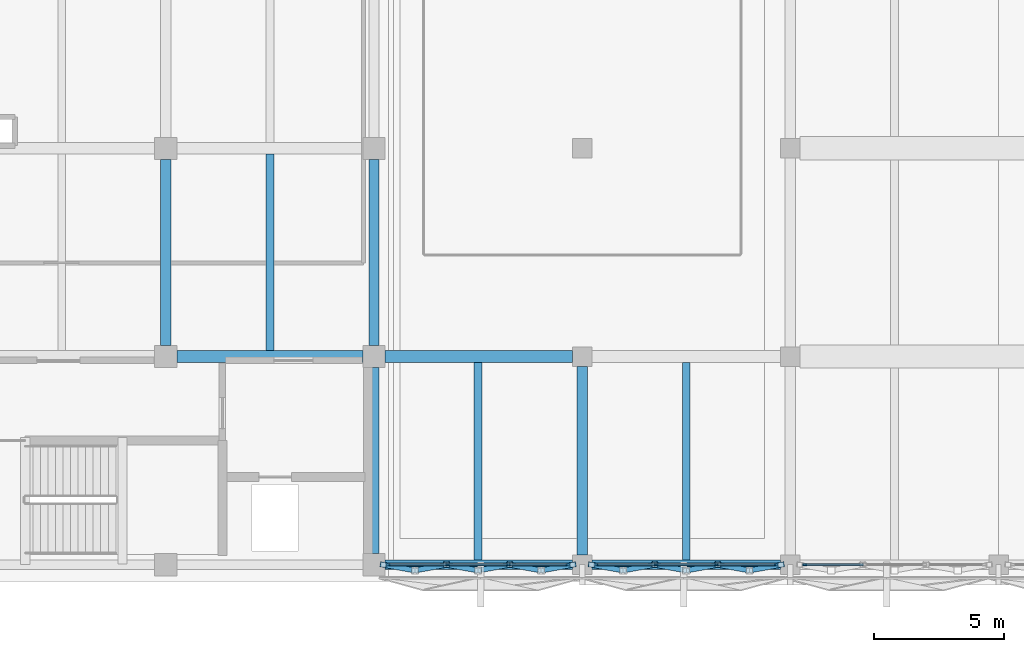
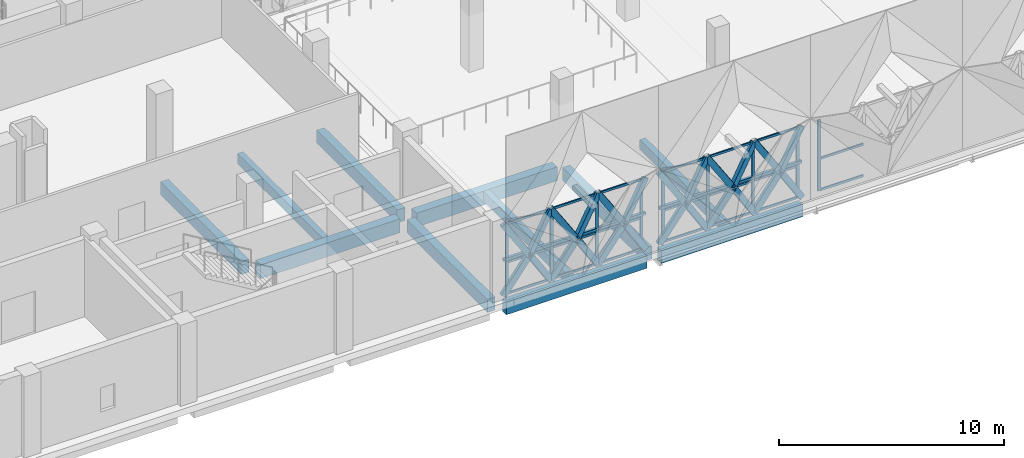
# One storey, part 5 of 53: 59 members, 11 beams, 3 elements without a shape of their own.
"""IFC4 building model written with IfcOpenShell, lengths in metres."""

from ifc_helpers import new_model, si_unit, direction, frame, origin, origin_2d, place, context, subcontext, project, spatial, rectangle, hollow_rectangle, extrude, material, layer, layer_set, material_profile, profile_set, type_object, element, aggregate, save


model = new_model("IFC4")

# Units and contexts
model_context = context("Model", 3, precision=1e-05, world=origin(), true_north=direction((0.0, 1.0)))
body_context = subcontext(model_context, "Body", "Model", "MODEL_VIEW")
ifc_project = project(units=[si_unit("LENGTHUNIT", "METRE"), si_unit("AREAUNIT", "SQUARE_METRE"), si_unit("VOLUMEUNIT", "CUBIC_METRE"), si_unit("PLANEANGLEUNIT", "RADIAN"), si_unit("MASSUNIT", "GRAM", prefix="KILO")], contexts=[model_context])

# Site, building, storey
site_placement = place(None, origin())
site = spatial("IfcSite", under=ifc_project, at=site_placement, CompositionType="ELEMENT")
building_placement = place(site_placement, origin())
building = spatial("IfcBuilding", under=site, at=building_placement, Name="Qorikala Patio Media Centre", CompositionType="ELEMENT")
storey_placement = place(building_placement, frame((0.0, 0.0, 5.39990234375)))
storey = spatial("IfcBuildingStorey", under=building, at=storey_placement, Name="L01", CompositionType="ELEMENT", Elevation=5.39990234375)

# Beams
ifc_material_1 = material(Name="Concrete C35/45", Category="concrete")
ifc_material_profile_1 = material_profile(ifc_material_1, rectangle(XDim=0.39990234375, YDim=0.699951171875, at=origin_2d()), Name="RC 400x700")
ifc_profile_set_1 = profile_set([ifc_material_profile_1], Name="Concrete C35/45")
beam_type_1 = type_object("IfcBeamType", Name="BM-G400X700", PredefinedType="BEAM", material=ifc_profile_set_1)
for number, where, z_axis, x_axis, name in (
    (1, (35.0, 11.425048828125, -0.64990234375), (0.0, 1.0, 0.0), (-1.0, 0.0, 0.0), "L01 Grid X=35 Beam 0583"),
    (2, (43.0, 3.425048828125, -0.64990234375), (0.0, 1.0, 0.0), (-1.0, 0.0, 0.0), "L01 Grid X=43 Beam 0590"),
    (3, (43.0, 11.425048828125, -0.64990234375), (0.0, 1.0, 0.0), (-1.0, 0.0, 0.0), "L01 Grid X=43 Beam 0591"),
):
    element("IfcBeam", number, at=place(storey_placement, frame(where, z_axis=z_axis, x_axis=x_axis)), inside=storey, type_object=beam_type_1, Name=name, PredefinedType="BEAM", context=body_context, shape_type="SweptSolid", body=[
        extrude(rectangle(XDim=0.39990234375, YDim=0.699951171875, at=origin_2d()), origin(), (0.0, 0.0, 1.0), 7.14990234375),
    ])
beam_1_placement = place(storey_placement, frame((51.0, 3.375, -0.64990234375), z_axis=(0.0, 1.0, 0.0), x_axis=(-1.0, 0.0, 0.0)))
element("IfcBeam", 4, at=beam_1_placement, inside=storey, type_object=beam_type_1, Name="L01 Grid X=51 Beam 0594", PredefinedType="BEAM", context=body_context, shape_type="SweptSolid", body=[
    extrude(rectangle(XDim=0.39990234375, YDim=0.699951171875, at=origin_2d()), origin(), (0.0, 0.0, 1.0), 7.25),
])
ifc_material_profile_2 = material_profile(ifc_material_1, rectangle(XDim=0.449951171875, YDim=0.75, at=origin_2d()), Name="RC 450x750")
ifc_profile_set_2 = profile_set([ifc_material_profile_2], Name="Concrete C35/45")
beam_type_2 = type_object("IfcBeamType", Name="BM-G450X750", PredefinedType="BEAM", material=ifc_profile_set_2)
beam_2_placement = place(storey_placement, frame((35.425048828125, 11.0, -0.6748046875), z_axis=(1.0, 0.0, 0.0), x_axis=(0.0, 1.0, 0.0)))
element("IfcBeam", 5, at=beam_2_placement, inside=storey, type_object=beam_type_2, Name="L01 Grid 11 Beam 0424", PredefinedType="BEAM", context=body_context, shape_type="SweptSolid", body=[
    extrude(rectangle(XDim=0.449951171875, YDim=0.75, at=origin_2d()), origin(), (0.0, 0.0, 1.0), 7.14990234375),
])
beam_3_placement = place(storey_placement, frame((43.425048828125, 11.0, -0.6748046875), z_axis=(1.0, 0.0, 0.0), x_axis=(0.0, 1.0, 0.0)))
element("IfcBeam", 6, at=beam_3_placement, inside=storey, type_object=beam_type_2, Name="L01 Grid 11 Beam 0425", PredefinedType="BEAM", context=body_context, shape_type="SweptSolid", body=[
    extrude(rectangle(XDim=0.449951171875, YDim=0.75, at=origin_2d()), origin(), (0.0, 0.0, 1.0), 7.199951171875),
])

# Members
ifc_material_2 = material(Name="Golden Bronze Coated Steel S355", Category="steel")
ifc_material_profile_3 = material_profile(ifc_material_2, hollow_rectangle(XDim=0.139892578125, YDim=0.139892578125, WallThickness=0.006103515625, at=origin_2d()), Name="HSS140X140X6")
ifc_profile_set_3 = profile_set([ifc_material_profile_3], Name="Golden Bronze Coated Steel S355")
member_type_1 = type_object("IfcMemberType", Name="BRACE-DIA140", PredefinedType="BRACE", material=ifc_profile_set_3)
member_1_placement = place(storey_placement, frame((58.639892578125, 3.0, 1.925048828125), z_axis=(-1.0, 0.0, 0.0), x_axis=(0.0, -1.0, 0.0)))
element("IfcMember", 7, at=member_1_placement, inside=storey, type_object=member_type_1, Name="L01 Diamond Fold Tie 028", PredefinedType="BRACE", context=body_context, shape_type="SweptSolid", body=[
    extrude(hollow_rectangle(XDim=0.139892578125, YDim=0.139892578125, WallThickness=0.006103515625, at=origin_2d()), origin(), (0.0, 0.0, 1.0), 2.426513671875),
])
member_2_placement = place(storey_placement, frame((56.21337890625, 3.0, 1.925048828125), z_axis=(-1.0, 0.0, 0.0), x_axis=(0.0, -1.0, 0.0)))
element("IfcMember", 8, at=member_2_placement, inside=storey, type_object=member_type_1, Name="L01 Diamond Fold Tie 029", PredefinedType="BRACE", context=body_context, shape_type="SweptSolid", body=[
    extrude(hollow_rectangle(XDim=0.139892578125, YDim=0.139892578125, WallThickness=0.006103515625, at=origin_2d()), origin(), (0.0, 0.0, 1.0), 2.4267578125),
])
for number, where, z_axis, x_axis, name in (
    (9, (53.78662109375, 3.0, 1.925048828125), (-1.0, 0.0, 0.0), (0.0, -1.0, 0.0), "L01 Diamond Fold Tie 030"),
    (10, (50.639892578125, 3.0, 1.925048828125), (-1.0, 0.0, 0.0), (0.0, -1.0, 0.0), "L01 Diamond Fold Tie 031"),
):
    element("IfcMember", number, at=place(storey_placement, frame(where, z_axis=z_axis, x_axis=x_axis)), inside=storey, type_object=member_type_1, Name=name, PredefinedType="BRACE", context=body_context, shape_type="SweptSolid", body=[
        extrude(hollow_rectangle(XDim=0.139892578125, YDim=0.139892578125, WallThickness=0.006103515625, at=origin_2d()), origin(), (0.0, 0.0, 1.0), 2.426513671875),
    ])
member_3_placement = place(storey_placement, frame((48.21337890625, 3.0, 1.925048828125), z_axis=(-1.0, 0.0, 0.0), x_axis=(0.0, -1.0, 0.0)))
element("IfcMember", 11, at=member_3_placement, inside=storey, type_object=member_type_1, Name="L01 Diamond Fold Tie 032", PredefinedType="BRACE", context=body_context, shape_type="SweptSolid", body=[
    extrude(hollow_rectangle(XDim=0.139892578125, YDim=0.139892578125, WallThickness=0.006103515625, at=origin_2d()), origin(), (0.0, 0.0, 1.0), 2.4267578125),
])
member_4_placement = place(storey_placement, frame((45.78662109375, 3.0, 1.925048828125), z_axis=(-1.0, 0.0, 0.0), x_axis=(0.0, -1.0, 0.0)))
element("IfcMember", 12, at=member_4_placement, inside=storey, type_object=member_type_1, Name="L01 Diamond Fold Tie 033", PredefinedType="BRACE", context=body_context, shape_type="SweptSolid", body=[
    extrude(hollow_rectangle(XDim=0.139892578125, YDim=0.139892578125, WallThickness=0.006103515625, at=origin_2d()), origin(), (0.0, 0.0, 1.0), 2.426513671875),
])

# Curtain wall, member
ifc_material_3 = material(Name="Golden Bronze Anodised Aluminium and Low-E Glass", Category="aluminium")
ifc_layer = layer(ifc_material_3, 0.159912109375)
ifc_layer_set = layer_set([ifc_layer], Name="Golden Bronze Anodised Aluminium and Low-E Glass")
curtain_wall_type = type_object("IfcCurtainWallType", Name="CW-DIA-696X385", PredefinedType="USERDEFINED", material=ifc_layer_set)
curtain_wall_1_placement = place(storey_placement, origin())
curtain_wall_1 = element("IfcCurtainWall", 13, at=curtain_wall_1_placement, inside=storey, type_object=curtain_wall_type, Name="L01 Courtyard Curtain Wall 037", ObjectType="COURTYARD CURTAIN WALL", PredefinedType="USERDEFINED")
ifc_material_4 = material(Name="Golden Bronze Anodised Aluminium", Category="aluminium")
ifc_material_profile_4 = material_profile(ifc_material_4, rectangle(XDim=0.06494140625, YDim=0.14990234375, at=origin_2d()), Name="ALU MULLION 65x150")
ifc_profile_set_4 = profile_set([ifc_material_profile_4], Name="Golden Bronze Anodised Aluminium")
member_type_2 = type_object("IfcMemberType", Name="CWM-65X150", PredefinedType="MULLION", material=ifc_profile_set_4)
member_5_placement = place(storey_placement, frame((59.552490234375, 3.0, 0.0), z_axis=(0.0, 0.0, 1.0), x_axis=(0.0, -1.0, 0.0)))
member_5 = element("IfcMember", 14, at=member_5_placement, type_object=member_type_2, Name="CWD696385 mullion 4", PredefinedType="MULLION", context=body_context, shape_type="SweptSolid", body=[
    extrude(rectangle(XDim=0.06494140625, YDim=0.14990234375, at=origin_2d()), origin(), (0.0, 0.0, 1.0), 3.85009765625),
])

# Curtain wall, members
curtain_wall_2_placement = place(storey_placement, origin())
curtain_wall_2 = element("IfcCurtainWall", 15, at=curtain_wall_2_placement, inside=storey, type_object=curtain_wall_type, Name="L01 Courtyard Curtain Wall 038", ObjectType="COURTYARD CURTAIN WALL", PredefinedType="USERDEFINED")
member_6_placement = place(storey_placement, frame((58.447509765625, 3.0, 0.0), z_axis=(0.0, 0.0, 1.0), x_axis=(0.0, -1.0, 0.0)))
member_6 = element("IfcMember", 16, at=member_6_placement, type_object=member_type_2, Name="CWD696385 mullion 1", PredefinedType="MULLION", context=body_context, shape_type="SweptSolid", body=[
    extrude(rectangle(XDim=0.06494140625, YDim=0.14990234375, at=origin_2d()), origin(), (0.0, 0.0, 1.0), 3.85009765625),
])
member_7_placement = place(storey_placement, frame((56.159912109375, 3.0, 0.0), z_axis=(0.0, 0.0, 1.0), x_axis=(0.0, -1.0, 0.0)))
member_7 = element("IfcMember", 17, at=member_7_placement, type_object=member_type_2, Name="CWD696385 mullion 2", PredefinedType="MULLION", context=body_context, shape_type="SweptSolid", body=[
    extrude(rectangle(XDim=0.06494140625, YDim=0.14990234375, at=origin_2d()), origin(), (0.0, 0.0, 1.0), 3.85009765625),
])
member_8_placement = place(storey_placement, frame((53.840087890625, 3.0, 0.0), z_axis=(0.0, 0.0, 1.0), x_axis=(0.0, -1.0, 0.0)))
member_8 = element("IfcMember", 18, at=member_8_placement, type_object=member_type_2, Name="CWD696385 mullion 3", PredefinedType="MULLION", context=body_context, shape_type="SweptSolid", body=[
    extrude(rectangle(XDim=0.06494140625, YDim=0.14990234375, at=origin_2d()), origin(), (0.0, 0.0, 1.0), 3.85009765625),
])
member_9_placement = place(storey_placement, frame((51.552490234375, 3.0, 0.0), z_axis=(0.0, 0.0, 1.0), x_axis=(0.0, -1.0, 0.0)))
member_9 = element("IfcMember", 19, at=member_9_placement, type_object=member_type_2, Name="CWD696385 mullion 4", PredefinedType="MULLION", context=body_context, shape_type="SweptSolid", body=[
    extrude(rectangle(XDim=0.06494140625, YDim=0.14990234375, at=origin_2d()), origin(), (0.0, 0.0, 1.0), 3.85009765625),
])

curtain_wall_3_placement = place(storey_placement, origin())
curtain_wall_3 = element("IfcCurtainWall", 20, at=curtain_wall_3_placement, inside=storey, type_object=curtain_wall_type, Name="L01 Courtyard Curtain Wall 039", ObjectType="COURTYARD CURTAIN WALL", PredefinedType="USERDEFINED")
member_10_placement = place(storey_placement, frame((50.447509765625, 3.0, 0.0), z_axis=(0.0, 0.0, 1.0), x_axis=(0.0, -1.0, 0.0)))
member_10 = element("IfcMember", 21, at=member_10_placement, type_object=member_type_2, Name="CWD696385 mullion 1", PredefinedType="MULLION", context=body_context, shape_type="SweptSolid", body=[
    extrude(rectangle(XDim=0.06494140625, YDim=0.14990234375, at=origin_2d()), origin(), (0.0, 0.0, 1.0), 3.85009765625),
])
member_11_placement = place(storey_placement, frame((48.159912109375, 3.0, 0.0), z_axis=(0.0, 0.0, 1.0), x_axis=(0.0, -1.0, 0.0)))
member_11 = element("IfcMember", 22, at=member_11_placement, type_object=member_type_2, Name="CWD696385 mullion 2", PredefinedType="MULLION", context=body_context, shape_type="SweptSolid", body=[
    extrude(rectangle(XDim=0.06494140625, YDim=0.14990234375, at=origin_2d()), origin(), (0.0, 0.0, 1.0), 3.85009765625),
])
member_12_placement = place(storey_placement, frame((45.840087890625, 3.0, 0.0), z_axis=(0.0, 0.0, 1.0), x_axis=(0.0, -1.0, 0.0)))
member_12 = element("IfcMember", 23, at=member_12_placement, type_object=member_type_2, Name="CWD696385 mullion 3", PredefinedType="MULLION", context=body_context, shape_type="SweptSolid", body=[
    extrude(rectangle(XDim=0.06494140625, YDim=0.14990234375, at=origin_2d()), origin(), (0.0, 0.0, 1.0), 3.85009765625),
])
member_13_placement = place(storey_placement, frame((43.552490234375, 3.0, 0.0), z_axis=(0.0, 0.0, 1.0), x_axis=(0.0, -1.0, 0.0)))
member_13 = element("IfcMember", 24, at=member_13_placement, type_object=member_type_2, Name="CWD696385 mullion 4", PredefinedType="MULLION", context=body_context, shape_type="SweptSolid", body=[
    extrude(rectangle(XDim=0.06494140625, YDim=0.14990234375, at=origin_2d()), origin(), (0.0, 0.0, 1.0), 3.85009765625),
])

# Member
ifc_material_profile_5 = material_profile(ifc_material_4, rectangle(XDim=0.06494140625, YDim=0.1201171875, at=origin_2d()), Name="ALU TRANSOM 65x120")
ifc_profile_set_5 = profile_set([ifc_material_profile_5], Name="Golden Bronze Anodised Aluminium")
member_type_3 = type_object("IfcMemberType", Name="CWT-65X120", PredefinedType="USERDEFINED", material=ifc_profile_set_5)
member_14_placement = place(storey_placement, frame((61.8076171875, 3.0, 0.03271484375), z_axis=(-1.0, 0.0, 0.0), x_axis=(0.0, -1.0, 0.0)))
member_14 = element("IfcMember", 25, at=member_14_placement, type_object=member_type_3, Name="CWD696385 transom 3.1", ObjectType="TRANSOM", PredefinedType="USERDEFINED", context=body_context, shape_type="SweptSolid", body=[
    extrude(rectangle(XDim=0.06494140625, YDim=0.1201171875, at=origin_2d()), origin(), (0.0, 0.0, 1.0), 2.22265625),
])

member_15_placement = place(storey_placement, frame((61.8076171875, 3.0, 1.732666015625), z_axis=(-1.0, 0.0, 0.0), x_axis=(0.0, -1.0, 0.0)))
member_15 = element("IfcMember", 26, at=member_15_placement, type_object=member_type_3, Name="CWD696385 transom 3.2", ObjectType="TRANSOM", PredefinedType="USERDEFINED", context=body_context, shape_type="SweptSolid", body=[
    extrude(rectangle(XDim=0.06494140625, YDim=0.1201171875, at=origin_2d()), origin(), (0.0, 0.0, 1.0), 2.22265625),
])

aggregate(curtain_wall_1, [member_5, member_14, member_15])

member_16_placement = place(storey_placement, frame((58.4150390625, 3.0, 0.03271484375), z_axis=(-1.0, 0.0, 0.0), x_axis=(0.0, -1.0, 0.0)))
member_16 = element("IfcMember", 27, at=member_16_placement, type_object=member_type_3, Name="CWD696385 transom 1.1", ObjectType="TRANSOM", PredefinedType="USERDEFINED", context=body_context, shape_type="SweptSolid", body=[
    extrude(rectangle(XDim=0.06494140625, YDim=0.1201171875, at=origin_2d()), origin(), (0.0, 0.0, 1.0), 2.22265625),
])

member_17_placement = place(storey_placement, frame((58.4150390625, 3.0, 1.732666015625), z_axis=(-1.0, 0.0, 0.0), x_axis=(0.0, -1.0, 0.0)))
member_17 = element("IfcMember", 28, at=member_17_placement, type_object=member_type_3, Name="CWD696385 transom 1.2", ObjectType="TRANSOM", PredefinedType="USERDEFINED", context=body_context, shape_type="SweptSolid", body=[
    extrude(rectangle(XDim=0.06494140625, YDim=0.1201171875, at=origin_2d()), origin(), (0.0, 0.0, 1.0), 2.22265625),
])

member_18_placement = place(storey_placement, frame((58.4150390625, 3.0, 3.817626953125), z_axis=(-1.0, 0.0, 0.0), x_axis=(0.0, -1.0, 0.0)))
member_18 = element("IfcMember", 29, at=member_18_placement, type_object=member_type_3, Name="CWD696385 transom 1.3", ObjectType="TRANSOM", PredefinedType="USERDEFINED", context=body_context, shape_type="SweptSolid", body=[
    extrude(rectangle(XDim=0.06494140625, YDim=0.1201171875, at=origin_2d()), origin(), (0.0, 0.0, 1.0), 2.22265625),
])

member_19_placement = place(storey_placement, frame((56.12744140625, 3.0, 0.03271484375), z_axis=(-1.0, 0.0, 0.0), x_axis=(0.0, -1.0, 0.0)))
member_19 = element("IfcMember", 30, at=member_19_placement, type_object=member_type_3, Name="CWD696385 transom 2.1", ObjectType="TRANSOM", PredefinedType="USERDEFINED", context=body_context, shape_type="SweptSolid", body=[
    extrude(rectangle(XDim=0.06494140625, YDim=0.1201171875, at=origin_2d()), origin(), (0.0, 0.0, 1.0), 2.2548828125),
])

member_20_placement = place(storey_placement, frame((56.12744140625, 3.0, 1.732666015625), z_axis=(-1.0, 0.0, 0.0), x_axis=(0.0, -1.0, 0.0)))
member_20 = element("IfcMember", 31, at=member_20_placement, type_object=member_type_3, Name="CWD696385 transom 2.2", ObjectType="TRANSOM", PredefinedType="USERDEFINED", context=body_context, shape_type="SweptSolid", body=[
    extrude(rectangle(XDim=0.06494140625, YDim=0.1201171875, at=origin_2d()), origin(), (0.0, 0.0, 1.0), 2.2548828125),
])

member_21_placement = place(storey_placement, frame((56.12744140625, 3.0, 3.817626953125), z_axis=(-1.0, 0.0, 0.0), x_axis=(0.0, -1.0, 0.0)))
member_21 = element("IfcMember", 32, at=member_21_placement, type_object=member_type_3, Name="CWD696385 transom 2.3", ObjectType="TRANSOM", PredefinedType="USERDEFINED", context=body_context, shape_type="SweptSolid", body=[
    extrude(rectangle(XDim=0.06494140625, YDim=0.1201171875, at=origin_2d()), origin(), (0.0, 0.0, 1.0), 2.2548828125),
])

member_22_placement = place(storey_placement, frame((53.8076171875, 3.0, 0.03271484375), z_axis=(-1.0, 0.0, 0.0), x_axis=(0.0, -1.0, 0.0)))
member_22 = element("IfcMember", 33, at=member_22_placement, type_object=member_type_3, Name="CWD696385 transom 3.1", ObjectType="TRANSOM", PredefinedType="USERDEFINED", context=body_context, shape_type="SweptSolid", body=[
    extrude(rectangle(XDim=0.06494140625, YDim=0.1201171875, at=origin_2d()), origin(), (0.0, 0.0, 1.0), 2.22265625),
])

member_23_placement = place(storey_placement, frame((53.8076171875, 3.0, 1.732666015625), z_axis=(-1.0, 0.0, 0.0), x_axis=(0.0, -1.0, 0.0)))
member_23 = element("IfcMember", 34, at=member_23_placement, type_object=member_type_3, Name="CWD696385 transom 3.2", ObjectType="TRANSOM", PredefinedType="USERDEFINED", context=body_context, shape_type="SweptSolid", body=[
    extrude(rectangle(XDim=0.06494140625, YDim=0.1201171875, at=origin_2d()), origin(), (0.0, 0.0, 1.0), 2.22265625),
])

member_24_placement = place(storey_placement, frame((53.8076171875, 3.0, 3.817626953125), z_axis=(-1.0, 0.0, 0.0), x_axis=(0.0, -1.0, 0.0)))
member_24 = element("IfcMember", 35, at=member_24_placement, type_object=member_type_3, Name="CWD696385 transom 3.3", ObjectType="TRANSOM", PredefinedType="USERDEFINED", context=body_context, shape_type="SweptSolid", body=[
    extrude(rectangle(XDim=0.06494140625, YDim=0.1201171875, at=origin_2d()), origin(), (0.0, 0.0, 1.0), 2.22265625),
])

aggregate(curtain_wall_2, [member_6, member_7, member_8, member_9, member_16, member_17, member_18, member_19, member_20, member_21, member_22, member_23, member_24])

member_25_placement = place(storey_placement, frame((50.4150390625, 3.0, 0.03271484375), z_axis=(-1.0, 0.0, 0.0), x_axis=(0.0, -1.0, 0.0)))
member_25 = element("IfcMember", 36, at=member_25_placement, type_object=member_type_3, Name="CWD696385 transom 1.1", ObjectType="TRANSOM", PredefinedType="USERDEFINED", context=body_context, shape_type="SweptSolid", body=[
    extrude(rectangle(XDim=0.06494140625, YDim=0.1201171875, at=origin_2d()), origin(), (0.0, 0.0, 1.0), 2.22265625),
])

member_26_placement = place(storey_placement, frame((50.4150390625, 3.0, 1.732666015625), z_axis=(-1.0, 0.0, 0.0), x_axis=(0.0, -1.0, 0.0)))
member_26 = element("IfcMember", 37, at=member_26_placement, type_object=member_type_3, Name="CWD696385 transom 1.2", ObjectType="TRANSOM", PredefinedType="USERDEFINED", context=body_context, shape_type="SweptSolid", body=[
    extrude(rectangle(XDim=0.06494140625, YDim=0.1201171875, at=origin_2d()), origin(), (0.0, 0.0, 1.0), 2.22265625),
])

member_27_placement = place(storey_placement, frame((50.4150390625, 3.0, 3.817626953125), z_axis=(-1.0, 0.0, 0.0), x_axis=(0.0, -1.0, 0.0)))
member_27 = element("IfcMember", 38, at=member_27_placement, type_object=member_type_3, Name="CWD696385 transom 1.3", ObjectType="TRANSOM", PredefinedType="USERDEFINED", context=body_context, shape_type="SweptSolid", body=[
    extrude(rectangle(XDim=0.06494140625, YDim=0.1201171875, at=origin_2d()), origin(), (0.0, 0.0, 1.0), 2.22265625),
])

member_28_placement = place(storey_placement, frame((48.12744140625, 3.0, 0.03271484375), z_axis=(-1.0, 0.0, 0.0), x_axis=(0.0, -1.0, 0.0)))
member_28 = element("IfcMember", 39, at=member_28_placement, type_object=member_type_3, Name="CWD696385 transom 2.1", ObjectType="TRANSOM", PredefinedType="USERDEFINED", context=body_context, shape_type="SweptSolid", body=[
    extrude(rectangle(XDim=0.06494140625, YDim=0.1201171875, at=origin_2d()), origin(), (0.0, 0.0, 1.0), 2.2548828125),
])

member_29_placement = place(storey_placement, frame((48.12744140625, 3.0, 1.732666015625), z_axis=(-1.0, 0.0, 0.0), x_axis=(0.0, -1.0, 0.0)))
member_29 = element("IfcMember", 40, at=member_29_placement, type_object=member_type_3, Name="CWD696385 transom 2.2", ObjectType="TRANSOM", PredefinedType="USERDEFINED", context=body_context, shape_type="SweptSolid", body=[
    extrude(rectangle(XDim=0.06494140625, YDim=0.1201171875, at=origin_2d()), origin(), (0.0, 0.0, 1.0), 2.2548828125),
])

member_30_placement = place(storey_placement, frame((48.12744140625, 3.0, 3.817626953125), z_axis=(-1.0, 0.0, 0.0), x_axis=(0.0, -1.0, 0.0)))
member_30 = element("IfcMember", 41, at=member_30_placement, type_object=member_type_3, Name="CWD696385 transom 2.3", ObjectType="TRANSOM", PredefinedType="USERDEFINED", context=body_context, shape_type="SweptSolid", body=[
    extrude(rectangle(XDim=0.06494140625, YDim=0.1201171875, at=origin_2d()), origin(), (0.0, 0.0, 1.0), 2.2548828125),
])

member_31_placement = place(storey_placement, frame((45.8076171875, 3.0, 0.03271484375), z_axis=(-1.0, 0.0, 0.0), x_axis=(0.0, -1.0, 0.0)))
member_31 = element("IfcMember", 42, at=member_31_placement, type_object=member_type_3, Name="CWD696385 transom 3.1", ObjectType="TRANSOM", PredefinedType="USERDEFINED", context=body_context, shape_type="SweptSolid", body=[
    extrude(rectangle(XDim=0.06494140625, YDim=0.1201171875, at=origin_2d()), origin(), (0.0, 0.0, 1.0), 2.22265625),
])

member_32_placement = place(storey_placement, frame((45.8076171875, 3.0, 1.732666015625), z_axis=(-1.0, 0.0, 0.0), x_axis=(0.0, -1.0, 0.0)))
member_32 = element("IfcMember", 43, at=member_32_placement, type_object=member_type_3, Name="CWD696385 transom 3.2", ObjectType="TRANSOM", PredefinedType="USERDEFINED", context=body_context, shape_type="SweptSolid", body=[
    extrude(rectangle(XDim=0.06494140625, YDim=0.1201171875, at=origin_2d()), origin(), (0.0, 0.0, 1.0), 2.22265625),
])

member_33_placement = place(storey_placement, frame((45.8076171875, 3.0, 3.817626953125), z_axis=(-1.0, 0.0, 0.0), x_axis=(0.0, -1.0, 0.0)))
member_33 = element("IfcMember", 44, at=member_33_placement, type_object=member_type_3, Name="CWD696385 transom 3.3", ObjectType="TRANSOM", PredefinedType="USERDEFINED", context=body_context, shape_type="SweptSolid", body=[
    extrude(rectangle(XDim=0.06494140625, YDim=0.1201171875, at=origin_2d()), origin(), (0.0, 0.0, 1.0), 2.22265625),
])

aggregate(curtain_wall_3, [member_10, member_11, member_12, member_13, member_25, member_26, member_27, member_28, member_29, member_30, member_31, member_32, member_33])

# Beams
ifc_material_profile_6 = material_profile(ifc_material_1, rectangle(XDim=0.300048828125, YDim=0.550048828125, at=origin_2d()), Name="RC 300x550")
ifc_profile_set_6 = profile_set([ifc_material_profile_6], Name="Concrete C35/45")
beam_type_3 = type_object("IfcBeamType", Name="JS-300X550", PredefinedType="JOIST", material=ifc_profile_set_6)
beam_4_placement = place(storey_placement, frame((39.0, 11.22509765625, -0.574951171875), z_axis=(0.0, 1.0, 0.0), x_axis=(-1.0, 0.0, 0.0)))
element("IfcBeam", 45, at=beam_4_placement, inside=storey, type_object=beam_type_3, Name="L01 Secondary Joist 0699", PredefinedType="JOIST", context=body_context, shape_type="SweptSolid", body=[
    extrude(rectangle(XDim=0.300048828125, YDim=0.550048828125, at=origin_2d()), origin(), (0.0, 0.0, 1.0), 7.5498046875),
])
for number, where, z_axis, x_axis, name in (
    (46, (47.0, 3.175048828125, -0.574951171875), (0.0, 1.0, 0.0), (-1.0, 0.0, 0.0), "L01 Secondary Joist 0701"),
    (47, (55.0, 3.175048828125, -0.574951171875), (0.0, 1.0, 0.0), (-1.0, 0.0, 0.0), "L01 Secondary Joist 0702"),
):
    element("IfcBeam", number, at=place(storey_placement, frame(where, z_axis=z_axis, x_axis=x_axis)), inside=storey, type_object=beam_type_3, Name=name, PredefinedType="JOIST", context=body_context, shape_type="SweptSolid", body=[
        extrude(rectangle(XDim=0.300048828125, YDim=0.550048828125, at=origin_2d()), origin(), (0.0, 0.0, 1.0), 7.599853515625),
    ])
ifc_material_profile_7 = material_profile(ifc_material_1, rectangle(XDim=0.35009765625, YDim=0.679931640625, at=origin_2d()), Name="RC 350x680")
ifc_profile_set_7 = profile_set([ifc_material_profile_7], Name="Concrete C35/45")
beam_type_4 = type_object("IfcBeamType", Name="SP-350X680", PredefinedType="SPANDREL", material=ifc_profile_set_7)
beam_5_placement = place(storey_placement, frame((43.425048828125, 3.0, -0.639892578125), z_axis=(1.0, 0.0, 0.0), x_axis=(0.0, 1.0, 0.0)))
element("IfcBeam", 48, at=beam_5_placement, inside=storey, type_object=beam_type_4, Name="L01 Grid 3 Beam 0404", PredefinedType="SPANDREL", context=body_context, shape_type="SweptSolid", body=[
    extrude(rectangle(XDim=0.35009765625, YDim=0.679931640625, at=origin_2d()), origin(), (0.0, 0.0, 1.0), 7.199951171875),
])
beam_6_placement = place(storey_placement, frame((51.375, 3.0, -0.639892578125), z_axis=(1.0, 0.0, 0.0), x_axis=(0.0, 1.0, 0.0)))
element("IfcBeam", 49, at=beam_6_placement, inside=storey, type_object=beam_type_4, Name="L01 Grid 3 Beam 0405", PredefinedType="SPANDREL", context=body_context, shape_type="SweptSolid", body=[
    extrude(rectangle(XDim=0.35009765625, YDim=0.679931640625, at=origin_2d()), origin(), (0.0, 0.0, 1.0), 7.25),
])

# Members
ifc_material_profile_8 = material_profile(ifc_material_2, hollow_rectangle(XDim=0.199951171875, YDim=0.300048828125, WallThickness=0.011962890625, at=origin_2d()), Name="HSS300X200X12")
ifc_profile_set_8 = profile_set([ifc_material_profile_8], Name="Golden Bronze Coated Steel S355")
member_type_4 = type_object("IfcMemberType", Name="STRUT-DIA300", PredefinedType="STRUT", material=ifc_profile_set_8)
member_34_placement = place(storey_placement, frame((58.639892578125, 3.0, 0.0), z_axis=(-0.530691378365, -0.095906793675, 0.842121456713), x_axis=(0.17783968734, -0.984059472596, 0.0)))
element("IfcMember", 50, at=member_34_placement, inside=storey, type_object=member_type_4, Name="L01 Diamond Foyer Fold Strut 028-DL1", PredefinedType="STRUT", context=body_context, shape_type="SweptSolid", body=[
    extrude(hollow_rectangle(XDim=0.199951171875, YDim=0.300048828125, WallThickness=0.011962890625, at=origin_2d()), origin(), (0.0, 0.0, 1.0), 2.285888671875),
])
member_35_placement = place(storey_placement, frame((56.21337890625, 3.0, 0.0), z_axis=(0.530768093717, -0.095901357778, 0.842073726148), x_axis=(0.177805036072, 0.98406573416, 0.0)))
element("IfcMember", 51, at=member_35_placement, inside=storey, type_object=member_type_4, Name="L01 Diamond Foyer Fold Strut 028-DL2", PredefinedType="STRUT", context=body_context, shape_type="SweptSolid", body=[
    extrude(hollow_rectangle(XDim=0.199951171875, YDim=0.300048828125, WallThickness=0.011962890625, at=origin_2d()), origin(), (0.0, 0.0, 1.0), 2.2861328125),
])
member_36_placement = place(storey_placement, frame((57.4267578125, 2.78076171875, 1.925048828125), z_axis=(0.530691378365, 0.095906793675, 0.842121456713), x_axis=(-0.17783968734, 0.984059472596, 0.0)))
element("IfcMember", 52, at=member_36_placement, inside=storey, type_object=member_type_4, Name="L01 Diamond Foyer Fold Strut 028-DU1", PredefinedType="STRUT", context=body_context, shape_type="SweptSolid", body=[
    extrude(hollow_rectangle(XDim=0.199951171875, YDim=0.300048828125, WallThickness=0.011962890625, at=origin_2d()), origin(), (0.0, 0.0, 1.0), 2.285888671875),
])
for number, where, z_axis, x_axis, name in (
    (53, (57.4267578125, 2.78076171875, 1.925048828125), (-0.530768093717, 0.095901357778, 0.842073726148), (-0.177805036072, -0.98406573416, 0.0), "L01 Diamond Foyer Fold Strut 028-DU2"),
    (54, (56.21337890625, 3.0, 0.0), (-0.530768093717, -0.095901357778, 0.842073726148), (0.177805036072, -0.98406573416, 0.0), "L01 Diamond Foyer Fold Strut 029-DL1"),
    (55, (53.78662109375, 3.0, 0.0), (0.530768093717, -0.095901357778, 0.842073726148), (0.177805036072, 0.98406573416, 0.0), "L01 Diamond Foyer Fold Strut 029-DL2"),
    (56, (55.0, 2.78076171875, 1.925048828125), (0.530768093717, 0.095901357778, 0.842073726148), (-0.177805036072, 0.98406573416, 0.0), "L01 Diamond Foyer Fold Strut 029-DU1"),
    (57, (55.0, 2.78076171875, 1.925048828125), (-0.530768093717, 0.095901357778, 0.842073726148), (-0.177805036072, -0.98406573416, 0.0), "L01 Diamond Foyer Fold Strut 029-DU2"),
    (58, (53.78662109375, 3.0, 0.0), (-0.530768093717, -0.095901357778, 0.842073726148), (0.177805036072, -0.98406573416, 0.0), "L01 Diamond Foyer Fold Strut 030-DL1"),
):
    element("IfcMember", number, at=place(storey_placement, frame(where, z_axis=z_axis, x_axis=x_axis)), inside=storey, type_object=member_type_4, Name=name, PredefinedType="STRUT", context=body_context, shape_type="SweptSolid", body=[
        extrude(hollow_rectangle(XDim=0.199951171875, YDim=0.300048828125, WallThickness=0.011962890625, at=origin_2d()), origin(), (0.0, 0.0, 1.0), 2.2861328125),
    ])
member_37_placement = place(storey_placement, frame((51.360107421875, 3.0, 0.0), z_axis=(0.530691378365, -0.095906793675, 0.842121456713), x_axis=(0.17783968734, 0.984059472596, 0.0)))
element("IfcMember", 59, at=member_37_placement, inside=storey, type_object=member_type_4, Name="L01 Diamond Foyer Fold Strut 030-DL2", PredefinedType="STRUT", context=body_context, shape_type="SweptSolid", body=[
    extrude(hollow_rectangle(XDim=0.199951171875, YDim=0.300048828125, WallThickness=0.011962890625, at=origin_2d()), origin(), (0.0, 0.0, 1.0), 2.285888671875),
])
member_38_placement = place(storey_placement, frame((52.5732421875, 2.78076171875, 1.925048828125), z_axis=(0.530768093717, 0.095901357778, 0.842073726148), x_axis=(-0.177805036072, 0.98406573416, 0.0)))
element("IfcMember", 60, at=member_38_placement, inside=storey, type_object=member_type_4, Name="L01 Diamond Foyer Fold Strut 030-DU1", PredefinedType="STRUT", context=body_context, shape_type="SweptSolid", body=[
    extrude(hollow_rectangle(XDim=0.199951171875, YDim=0.300048828125, WallThickness=0.011962890625, at=origin_2d()), origin(), (0.0, 0.0, 1.0), 2.2861328125),
])
for number, where, z_axis, x_axis, name in (
    (61, (52.5732421875, 2.78076171875, 1.925048828125), (-0.530691378365, 0.095906793675, 0.842121456713), (-0.17783968734, -0.984059472596, 0.0), "L01 Diamond Foyer Fold Strut 030-DU2"),
    (62, (50.639892578125, 3.0, 0.0), (-0.530691378365, -0.095906793675, 0.842121456713), (0.17783968734, -0.984059472596, 0.0), "L01 Diamond Foyer Fold Strut 031-DL1"),
):
    element("IfcMember", number, at=place(storey_placement, frame(where, z_axis=z_axis, x_axis=x_axis)), inside=storey, type_object=member_type_4, Name=name, PredefinedType="STRUT", context=body_context, shape_type="SweptSolid", body=[
        extrude(hollow_rectangle(XDim=0.199951171875, YDim=0.300048828125, WallThickness=0.011962890625, at=origin_2d()), origin(), (0.0, 0.0, 1.0), 2.285888671875),
    ])
member_39_placement = place(storey_placement, frame((48.21337890625, 3.0, 0.0), z_axis=(0.530768093717, -0.095901357778, 0.842073726148), x_axis=(0.177805036072, 0.98406573416, 0.0)))
element("IfcMember", 63, at=member_39_placement, inside=storey, type_object=member_type_4, Name="L01 Diamond Foyer Fold Strut 031-DL2", PredefinedType="STRUT", context=body_context, shape_type="SweptSolid", body=[
    extrude(hollow_rectangle(XDim=0.199951171875, YDim=0.300048828125, WallThickness=0.011962890625, at=origin_2d()), origin(), (0.0, 0.0, 1.0), 2.2861328125),
])
member_40_placement = place(storey_placement, frame((49.4267578125, 2.78076171875, 1.925048828125), z_axis=(0.530691378365, 0.095906793675, 0.842121456713), x_axis=(-0.17783968734, 0.984059472596, 0.0)))
element("IfcMember", 64, at=member_40_placement, inside=storey, type_object=member_type_4, Name="L01 Diamond Foyer Fold Strut 031-DU1", PredefinedType="STRUT", context=body_context, shape_type="SweptSolid", body=[
    extrude(hollow_rectangle(XDim=0.199951171875, YDim=0.300048828125, WallThickness=0.011962890625, at=origin_2d()), origin(), (0.0, 0.0, 1.0), 2.285888671875),
])
for number, where, z_axis, x_axis, name in (
    (65, (49.4267578125, 2.78076171875, 1.925048828125), (-0.530768093717, 0.095901357778, 0.842073726148), (-0.177805036072, -0.98406573416, 0.0), "L01 Diamond Foyer Fold Strut 031-DU2"),
    (66, (48.21337890625, 3.0, 0.0), (-0.530768093717, -0.095901357778, 0.842073726148), (0.177805036072, -0.98406573416, 0.0), "L01 Diamond Foyer Fold Strut 032-DL1"),
    (67, (45.78662109375, 3.0, 0.0), (0.530768093717, -0.095901357778, 0.842073726148), (0.177805036072, 0.98406573416, 0.0), "L01 Diamond Foyer Fold Strut 032-DL2"),
    (68, (47.0, 2.78076171875, 1.925048828125), (0.530768093717, 0.095901357778, 0.842073726148), (-0.177805036072, 0.98406573416, 0.0), "L01 Diamond Foyer Fold Strut 032-DU1"),
    (69, (47.0, 2.78076171875, 1.925048828125), (-0.530768093717, 0.095901357778, 0.842073726148), (-0.177805036072, -0.98406573416, 0.0), "L01 Diamond Foyer Fold Strut 032-DU2"),
    (70, (45.78662109375, 3.0, 0.0), (-0.530768093717, -0.095901357778, 0.842073726148), (0.177805036072, -0.98406573416, 0.0), "L01 Diamond Foyer Fold Strut 033-DL1"),
):
    element("IfcMember", number, at=place(storey_placement, frame(where, z_axis=z_axis, x_axis=x_axis)), inside=storey, type_object=member_type_4, Name=name, PredefinedType="STRUT", context=body_context, shape_type="SweptSolid", body=[
        extrude(hollow_rectangle(XDim=0.199951171875, YDim=0.300048828125, WallThickness=0.011962890625, at=origin_2d()), origin(), (0.0, 0.0, 1.0), 2.2861328125),
    ])
member_41_placement = place(storey_placement, frame((43.360107421875, 3.0, 0.0), z_axis=(0.530691378365, -0.095906793675, 0.842121456713), x_axis=(0.17783968734, 0.984059472596, 0.0)))
element("IfcMember", 71, at=member_41_placement, inside=storey, type_object=member_type_4, Name="L01 Diamond Foyer Fold Strut 033-DL2", PredefinedType="STRUT", context=body_context, shape_type="SweptSolid", body=[
    extrude(hollow_rectangle(XDim=0.199951171875, YDim=0.300048828125, WallThickness=0.011962890625, at=origin_2d()), origin(), (0.0, 0.0, 1.0), 2.285888671875),
])
member_42_placement = place(storey_placement, frame((44.5732421875, 2.78076171875, 1.925048828125), z_axis=(0.530768093717, 0.095901357778, 0.842073726148), x_axis=(-0.177805036072, 0.98406573416, 0.0)))
element("IfcMember", 72, at=member_42_placement, inside=storey, type_object=member_type_4, Name="L01 Diamond Foyer Fold Strut 033-DU1", PredefinedType="STRUT", context=body_context, shape_type="SweptSolid", body=[
    extrude(hollow_rectangle(XDim=0.199951171875, YDim=0.300048828125, WallThickness=0.011962890625, at=origin_2d()), origin(), (0.0, 0.0, 1.0), 2.2861328125),
])
member_43_placement = place(storey_placement, frame((44.5732421875, 2.78076171875, 1.925048828125), z_axis=(-0.530691378365, 0.095906793675, 0.842121456713), x_axis=(-0.17783968734, -0.984059472596, 0.0)))
element("IfcMember", 73, at=member_43_placement, inside=storey, type_object=member_type_4, Name="L01 Diamond Foyer Fold Strut 033-DU2", PredefinedType="STRUT", context=body_context, shape_type="SweptSolid", body=[
    extrude(hollow_rectangle(XDim=0.199951171875, YDim=0.300048828125, WallThickness=0.011962890625, at=origin_2d()), origin(), (0.0, 0.0, 1.0), 2.285888671875),
])

save(model, "model.ifc")
